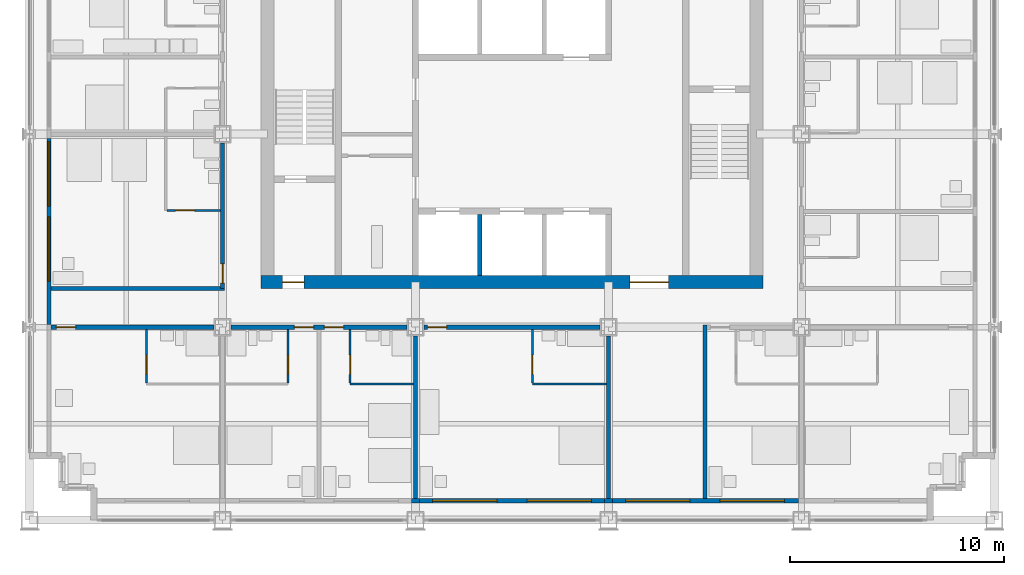
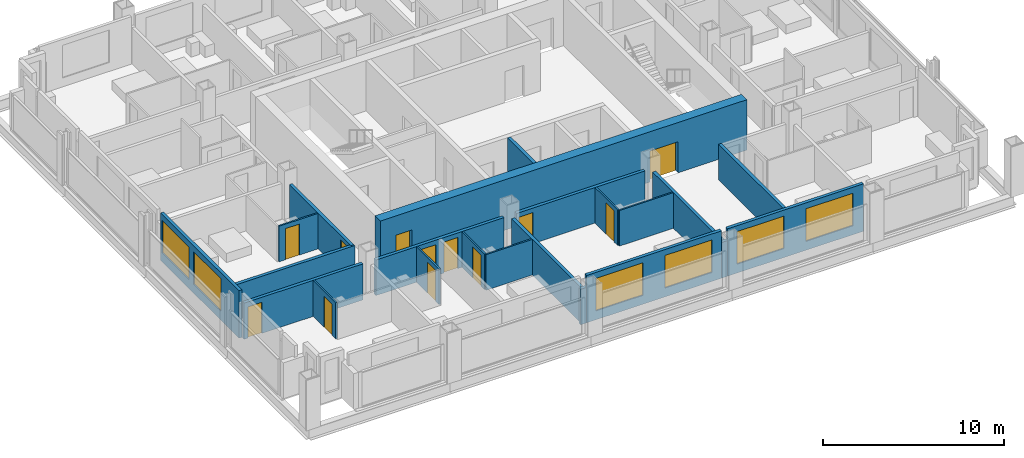
# One storey, part 9 of 17: 22 walls, 12 doors, 6 windows, 18 openings.
"""IFC4 building model written with IfcOpenShell, lengths in metres."""

from ifc_helpers import new_model, si_unit, direction, frame, frame_2d, origin, place, context, subcontext, project, spatial, rectangle, extrude, material, layer, layer_set, type_object, element, fill, save


model = new_model("IFC4")

# Units and contexts
model_context = context("Model", 3, precision=1e-05, world=origin(), true_north=direction((0.0, 1.0)))
body_context = subcontext(model_context, "Body", "Model", "MODEL_VIEW")
ifc_project = project(units=[si_unit("LENGTHUNIT", "METRE"), si_unit("AREAUNIT", "SQUARE_METRE"), si_unit("VOLUMEUNIT", "CUBIC_METRE"), si_unit("PLANEANGLEUNIT", "RADIAN"), si_unit("MASSUNIT", "GRAM", prefix="KILO")], contexts=[model_context])

# Site, building, storey
site_placement = place(None, origin())
site = spatial("IfcSite", under=ifc_project, at=site_placement, CompositionType="ELEMENT")
building_placement = place(site_placement, origin())
building = spatial("IfcBuilding", under=site, at=building_placement, Name="Loomwork Tower", CompositionType="ELEMENT")
storey_placement = place(building_placement, frame((0.0, 0.0, 145.199951171875)))
storey = spatial("IfcBuildingStorey", under=building, at=storey_placement, Name="L39", CompositionType="ELEMENT", Elevation=145.199951171875)

# Wall, openings, doors
ifc_material_1 = material(Name="Concrete 14000 psi (97 MPa)", Category="concrete")
ifc_layer_1 = layer(ifc_material_1, 0.60009765625)
ifc_layer_set_1 = layer_set([ifc_layer_1], Name="Core shear wall 600")
wall_type_1 = type_object("IfcWallType", Name="Core shear wall 600", PredefinedType="SHEAR", material=ifc_layer_set_1)
wall_1_placement = place(storey_placement, frame((10.800048828125, 11.10009765625, 0.0), z_axis=(0.0, 0.0, 1.0), x_axis=(1.0, 0.0, 0.0)))
wall_1 = element("IfcWall", 1, at=wall_1_placement, inside=storey, type_object=wall_type_1, Name="Core wall south L39", PredefinedType="SHEAR", context=body_context, shape_type="SweptSolid", body=[
    extrude(rectangle(XDim=23.39990234375, YDim=0.60009765625, at=frame_2d((11.699951171875, 0.0))), origin(), (0.0, 0.0, 1.0), 3.400146484375),
])
opening_1_placement = place(wall_1_placement, frame((1.0, 0.0, 0.0)))
opening_1 = element("IfcOpeningElement", 2, at=opening_1_placement, cuts=wall_1, Name="Opening D4", PredefinedType="OPENING", context=body_context, shape_type="SweptSolid", body=[
    extrude(rectangle(XDim=1.0, YDim=2.10009765625, at=frame_2d((0.5, 1.050048828125))), frame((0.0, 0.31005859375, 0.0), z_axis=(0.0, -1.0, 0.0), x_axis=(1.0, 0.0, 0.0)), (0.0, 0.0, 1.0), 0.6201171875),
])
opening_2_placement = place(wall_1_placement, frame((17.199951171875, 0.0, 0.0)))
opening_2 = element("IfcOpeningElement", 3, at=opening_2_placement, cuts=wall_1, Name="Opening D6", PredefinedType="OPENING", context=body_context, shape_type="SweptSolid", body=[
    extrude(rectangle(XDim=1.800048828125, YDim=2.10009765625, at=frame_2d((0.89990234375, 1.050048828125))), frame((0.0, 0.31005859375, 0.0), z_axis=(0.0, -1.0, 0.0), x_axis=(1.0, 0.0, 0.0)), (0.0, 0.0, 1.0), 0.6201171875),
])
ifc_material_2 = material(Name="Hollow metal door and frame")
door_type_1 = type_object("IfcDoorType", Name="Lobby passage double door 1800", OperationType="DOUBLE_DOOR_SINGLE_SWING", PredefinedType="DOOR", material=ifc_material_2)
door_1_placement = place(opening_2_placement, origin())
door_1 = element("IfcDoor", 4, at=door_1_placement, inside=storey, type_object=door_type_1, Name="Lobby passage door south", OperationType="DOUBLE_DOOR_SINGLE_SWING", OverallHeight=2.10009765625, OverallWidth=1.800048828125, PredefinedType="DOOR", context=body_context, shape_type="SweptSolid", body=[
    extrude(rectangle(XDim=1.800048828125, YDim=2.10009765625, at=frame_2d((0.89990234375, 1.050048828125))), frame((0.0, 0.02490234375, 0.0), z_axis=(0.0, -1.0, 0.0), x_axis=(1.0, 0.0, 0.0)), (0.0, 0.0, 1.0), 0.050048828125),
])
fill(opening_2, door_1)
ifc_material_3 = material(Name="Hollow metal door and frame")
door_type_2 = type_object("IfcDoorType", Name="Stair door 1000", OperationType="SINGLE_SWING_RIGHT", PredefinedType="DOOR", material=ifc_material_3)
door_2_placement = place(opening_1_placement, origin())
door_2 = element("IfcDoor", 5, at=door_2_placement, inside=storey, type_object=door_type_2, Name="Stair A vestibule door", OperationType="SINGLE_SWING_LEFT", OverallHeight=2.10009765625, OverallWidth=1.0, PredefinedType="DOOR", context=body_context, shape_type="SweptSolid", body=[
    extrude(rectangle(XDim=1.0, YDim=2.10009765625, at=frame_2d((0.5, 1.050048828125))), frame((0.0, 0.02490234375, 0.0), z_axis=(0.0, -1.0, 0.0), x_axis=(1.0, 0.0, 0.0)), (0.0, 0.0, 1.0), 0.050048828125),
])
fill(opening_1, door_2)

# Wall, opening, door
ifc_material_4 = material(Name="Gypsum board on steel studs, one-hour", Category="steel")
ifc_layer_2 = layer(ifc_material_4, 0.199951171875)
ifc_layer_set_2 = layer_set([ifc_layer_2], Name="Corridor wall 200")
wall_type_2 = type_object("IfcWallType", Name="Corridor wall 200", PredefinedType="PARTITIONING", material=ifc_layer_set_2)
wall_2_placement = place(storey_placement, frame((1.0, 9.0, 0.0), z_axis=(0.0, 0.0, 1.0), x_axis=(1.0, 0.0, 0.0)))
wall_2 = element("IfcWall", 6, at=wall_2_placement, inside=storey, type_object=wall_type_2, Name="South corridor wall 1", PredefinedType="PARTITIONING", context=body_context, shape_type="SweptSolid", body=[
    extrude(rectangle(XDim=7.60009765625, YDim=0.199951171875, at=frame_2d((3.800048828125, 0.0))), origin(), (0.0, 0.0, 1.0), 2.43798828125),
])
opening_3_placement = place(wall_2_placement, frame((0.25, 0.0, 0.0)))
opening_3 = element("IfcOpeningElement", 7, at=opening_3_placement, cuts=wall_2, Name="Opening D1", PredefinedType="OPENING", context=body_context, shape_type="SweptSolid", body=[
    extrude(rectangle(XDim=0.89990234375, YDim=2.10009765625, at=frame_2d((0.449951171875, 1.050048828125))), frame((0.0, 0.10986328125, 0.0), z_axis=(0.0, -1.0, 0.0), x_axis=(1.0, 0.0, 0.0)), (0.0, 0.0, 1.0), 0.219970703125),
])
ifc_material_5 = material(Name="Hollow metal door and frame")
door_type_3 = type_object("IfcDoorType", Name="Guest room entry door 900", OperationType="SINGLE_SWING_LEFT", PredefinedType="DOOR", material=ifc_material_5)
door_3_placement = place(opening_3_placement, frame((0.89990234375, 0.0, 0.0), z_axis=(0.0, 0.0, 1.0), x_axis=(-1.0, 0.0, 0.0)))
door_3 = element("IfcDoor", 8, at=door_3_placement, inside=storey, type_object=door_type_3, Name="Guest room entry door L39 1", OperationType="SINGLE_SWING_RIGHT", OverallHeight=2.10009765625, OverallWidth=0.89990234375, PredefinedType="DOOR", context=body_context, shape_type="SweptSolid", body=[
    extrude(rectangle(XDim=0.89990234375, YDim=2.10009765625, at=frame_2d((0.449951171875, 1.050048828125))), frame((0.0, 0.02490234375, 0.0), z_axis=(0.0, -1.0, 0.0), x_axis=(1.0, 0.0, 0.0)), (0.0, 0.0, 1.0), 0.050048828125),
])
fill(opening_3, door_3)

# Wall, openings, doors
wall_3_placement = place(storey_placement, frame((9.39990234375, 9.0, 0.0), z_axis=(0.0, 0.0, 1.0), x_axis=(1.0, 0.0, 0.0)))
wall_3 = element("IfcWall", 9, at=wall_3_placement, inside=storey, type_object=wall_type_2, Name="South corridor wall 2", PredefinedType="PARTITIONING", context=body_context, shape_type="SweptSolid", body=[
    extrude(rectangle(XDim=8.2001953125, YDim=0.199951171875, at=frame_2d((4.10009765625, 0.0))), origin(), (0.0, 0.0, 1.0), 2.405029296875),
])
opening_4_placement = place(wall_3_placement, frame((2.949951171875, 0.0, 0.0)))
opening_4 = element("IfcOpeningElement", 10, at=opening_4_placement, cuts=wall_3, Name="Opening D1", PredefinedType="OPENING", context=body_context, shape_type="SweptSolid", body=[
    extrude(rectangle(XDim=0.89990234375, YDim=2.10009765625, at=frame_2d((0.449951171875, 1.050048828125))), frame((0.0, 0.10986328125, 0.0), z_axis=(0.0, -1.0, 0.0), x_axis=(1.0, 0.0, 0.0)), (0.0, 0.0, 1.0), 0.219970703125),
])
opening_5_placement = place(wall_3_placement, frame((4.35009765625, 0.0, 0.0)))
opening_5 = element("IfcOpeningElement", 11, at=opening_5_placement, cuts=wall_3, Name="Opening D1", PredefinedType="OPENING", context=body_context, shape_type="SweptSolid", body=[
    extrude(rectangle(XDim=0.89990234375, YDim=2.10009765625, at=frame_2d((0.449951171875, 1.050048828125))), frame((0.0, 0.10986328125, 0.0), z_axis=(0.0, -1.0, 0.0), x_axis=(1.0, 0.0, 0.0)), (0.0, 0.0, 1.0), 0.219970703125),
])
door_4_placement = place(opening_4_placement, frame((0.89990234375, 0.0, 0.0), z_axis=(0.0, 0.0, 1.0), x_axis=(-1.0, 0.0, 0.0)))
door_4 = element("IfcDoor", 12, at=door_4_placement, inside=storey, type_object=door_type_3, Name="Guest room entry door L39 2", OperationType="SINGLE_SWING_LEFT", OverallHeight=2.10009765625, OverallWidth=0.89990234375, PredefinedType="DOOR", context=body_context, shape_type="SweptSolid", body=[
    extrude(rectangle(XDim=0.89990234375, YDim=2.10009765625, at=frame_2d((0.449951171875, 1.050048828125))), frame((0.0, 0.02490234375, 0.0), z_axis=(0.0, -1.0, 0.0), x_axis=(1.0, 0.0, 0.0)), (0.0, 0.0, 1.0), 0.050048828125),
])
fill(opening_4, door_4)
door_5_placement = place(opening_5_placement, frame((0.89990234375, 0.0, 0.0), z_axis=(0.0, 0.0, 1.0), x_axis=(-1.0, 0.0, 0.0)))
door_5 = element("IfcDoor", 13, at=door_5_placement, inside=storey, type_object=door_type_3, Name="Guest room entry door L39 3", OperationType="SINGLE_SWING_RIGHT", OverallHeight=2.10009765625, OverallWidth=0.89990234375, PredefinedType="DOOR", context=body_context, shape_type="SweptSolid", body=[
    extrude(rectangle(XDim=0.89990234375, YDim=2.10009765625, at=frame_2d((0.449951171875, 1.050048828125))), frame((0.0, 0.02490234375, 0.0), z_axis=(0.0, -1.0, 0.0), x_axis=(1.0, 0.0, 0.0)), (0.0, 0.0, 1.0), 0.050048828125),
])
fill(opening_5, door_5)

# Wall, opening, door
wall_4_placement = place(storey_placement, frame((18.39990234375, 9.0, 0.0), z_axis=(0.0, 0.0, 1.0), x_axis=(1.0, 0.0, 0.0)))
wall_4 = element("IfcWall", 14, at=wall_4_placement, inside=storey, type_object=wall_type_2, Name="South corridor wall 3", PredefinedType="PARTITIONING", context=body_context, shape_type="SweptSolid", body=[
    extrude(rectangle(XDim=8.2001953125, YDim=0.199951171875, at=frame_2d((4.10009765625, 0.0))), origin(), (0.0, 0.0, 1.0), 2.405029296875),
])
opening_6_placement = place(wall_4_placement, frame((0.14990234375, 0.0, 0.0)))
opening_6 = element("IfcOpeningElement", 15, at=opening_6_placement, cuts=wall_4, Name="Opening D1", PredefinedType="OPENING", context=body_context, shape_type="SweptSolid", body=[
    extrude(rectangle(XDim=0.89990234375, YDim=2.10009765625, at=frame_2d((0.449951171875, 1.050048828125))), frame((0.0, 0.10986328125, 0.0), z_axis=(0.0, -1.0, 0.0), x_axis=(1.0, 0.0, 0.0)), (0.0, 0.0, 1.0), 0.219970703125),
])
door_6_placement = place(opening_6_placement, frame((0.89990234375, 0.0, 0.0), z_axis=(0.0, 0.0, 1.0), x_axis=(-1.0, 0.0, 0.0)))
door_6 = element("IfcDoor", 16, at=door_6_placement, inside=storey, type_object=door_type_3, Name="Guest room entry door L39 4", OperationType="SINGLE_SWING_RIGHT", OverallHeight=2.10009765625, OverallWidth=0.89990234375, PredefinedType="DOOR", context=body_context, shape_type="SweptSolid", body=[
    extrude(rectangle(XDim=0.89990234375, YDim=2.10009765625, at=frame_2d((0.449951171875, 1.050048828125))), frame((0.0, 0.02490234375, 0.0), z_axis=(0.0, -1.0, 0.0), x_axis=(1.0, 0.0, 0.0)), (0.0, 0.0, 1.0), 0.050048828125),
])
fill(opening_6, door_6)

wall_5_placement = place(storey_placement, frame((9.0, 10.800048828125, 0.0), z_axis=(0.0, 0.0, 1.0), x_axis=(0.0, 1.0, 0.0)))
wall_5 = element("IfcWall", 17, at=wall_5_placement, inside=storey, type_object=wall_type_2, Name="West corridor wall 1", PredefinedType="PARTITIONING", context=body_context, shape_type="SweptSolid", body=[
    extrude(rectangle(XDim=6.800048828125, YDim=0.199951171875, at=frame_2d((3.39990234375, 0.0))), origin(), (0.0, 0.0, 1.0), 2.405029296875),
])
opening_7_placement = place(wall_5_placement, frame((0.25, 0.0, 0.0)))
opening_7 = element("IfcOpeningElement", 18, at=opening_7_placement, cuts=wall_5, Name="Opening D1", PredefinedType="OPENING", context=body_context, shape_type="SweptSolid", body=[
    extrude(rectangle(XDim=0.89990234375, YDim=2.10009765625, at=frame_2d((0.449951171875, 1.050048828125))), frame((0.0, 0.10986328125, 0.0), z_axis=(0.0, -1.0, 0.0), x_axis=(1.0, 0.0, 0.0)), (0.0, 0.0, 1.0), 0.219970703125),
])
door_7_placement = place(opening_7_placement, origin())
door_7 = element("IfcDoor", 19, at=door_7_placement, inside=storey, type_object=door_type_3, Name="Guest room entry door L39 14", OperationType="SINGLE_SWING_LEFT", OverallHeight=2.10009765625, OverallWidth=0.89990234375, PredefinedType="DOOR", context=body_context, shape_type="SweptSolid", body=[
    extrude(rectangle(XDim=0.89990234375, YDim=2.10009765625, at=frame_2d((0.449951171875, 1.050048828125))), frame((0.0, 0.02490234375, 0.0), z_axis=(0.0, -1.0, 0.0), x_axis=(1.0, 0.0, 0.0)), (0.0, 0.0, 1.0), 0.050048828125),
])
fill(opening_7, door_7)

# Wall
wall_6_placement = place(storey_placement, frame((1.0, 10.800048828125, 0.0), z_axis=(0.0, 0.0, 1.0), x_axis=(1.0, 0.0, 0.0)))
element("IfcWall", 20, at=wall_6_placement, inside=storey, type_object=wall_type_2, Name="West band end wall S", PredefinedType="PARTITIONING", context=body_context, shape_type="SweptSolid", body=[
    extrude(rectangle(XDim=8.10009765625, YDim=0.199951171875, at=frame_2d((4.050048828125, 0.0))), origin(), (0.0, 0.0, 1.0), 2.404052734375),
])

# Wall, opening, door
ifc_material_6 = material(Name="Cement board on steel studs", Category="steel")
ifc_layer_3 = layer(ifc_material_6, 0.10009765625)
ifc_layer_set_3 = layer_set([ifc_layer_3], Name="En-suite partition 100")
wall_type_3 = type_object("IfcWallType", Name="En-suite partition 100", PredefinedType="PARTITIONING", material=ifc_layer_set_3)
wall_7_placement = place(storey_placement, frame((5.449951171875, 8.89990234375, 0.0), z_axis=(0.0, 0.0, 1.0), x_axis=(0.0, -1.0, 0.0)))
wall_7 = element("IfcWall", 21, at=wall_7_placement, inside=storey, type_object=wall_type_3, Name="En-suite side wall L39 room 1", PredefinedType="PARTITIONING", context=body_context, shape_type="SweptSolid", body=[
    extrude(rectangle(XDim=2.5, YDim=0.10009765625, at=frame_2d((1.25, 0.0))), origin(), (0.0, 0.0, 1.0), 2.43798828125),
])
opening_8_placement = place(wall_7_placement, frame((1.199951171875, 0.0, 0.0)))
opening_8 = element("IfcOpeningElement", 22, at=opening_8_placement, cuts=wall_7, Name="Opening D3", PredefinedType="OPENING", context=body_context, shape_type="SweptSolid", body=[
    extrude(rectangle(XDim=0.89990234375, YDim=2.10009765625, at=frame_2d((0.449951171875, 1.050048828125))), frame((0.0, 0.06005859375, 0.0), z_axis=(0.0, -1.0, 0.0), x_axis=(1.0, 0.0, 0.0)), (0.0, 0.0, 1.0), 0.1201171875),
])
ifc_material_7 = material(Name="Hollow metal door and frame")
door_type_4 = type_object("IfcDoorType", Name="Accessible en-suite door 900", OperationType="SLIDING_TO_LEFT", PredefinedType="DOOR", material=ifc_material_7)
door_8_placement = place(opening_8_placement, origin())
door_8 = element("IfcDoor", 23, at=door_8_placement, inside=storey, type_object=door_type_4, Name="Accessible en-suite door room 1", OperationType="SLIDING_TO_LEFT", OverallHeight=2.10009765625, OverallWidth=0.89990234375, PredefinedType="DOOR", context=body_context, shape_type="SweptSolid", body=[
    extrude(rectangle(XDim=0.89990234375, YDim=2.10009765625, at=frame_2d((0.449951171875, 1.050048828125))), frame((0.0, 0.02490234375, 0.0), z_axis=(0.0, -1.0, 0.0), x_axis=(1.0, 0.0, 0.0)), (0.0, 0.0, 1.0), 0.050048828125),
])
fill(opening_8, door_8)

wall_8_placement = place(storey_placement, frame((12.050048828125, 8.89990234375, 0.0), z_axis=(0.0, 0.0, 1.0), x_axis=(0.0, -1.0, 0.0)))
wall_8 = element("IfcWall", 24, at=wall_8_placement, inside=storey, type_object=wall_type_3, Name="En-suite side wall L39 room 2", PredefinedType="PARTITIONING", context=body_context, shape_type="SweptSolid", body=[
    extrude(rectangle(XDim=2.5, YDim=0.10009765625, at=frame_2d((1.25, 0.0))), origin(), (0.0, 0.0, 1.0), 2.404052734375),
])
opening_9_placement = place(wall_8_placement, frame((1.199951171875, 0.0, 0.0)))
opening_9 = element("IfcOpeningElement", 25, at=opening_9_placement, cuts=wall_8, Name="Opening D2", PredefinedType="OPENING", context=body_context, shape_type="SweptSolid", body=[
    extrude(rectangle(XDim=0.89990234375, YDim=2.10009765625, at=frame_2d((0.449951171875, 1.050048828125))), frame((0.0, 0.06005859375, 0.0), z_axis=(0.0, -1.0, 0.0), x_axis=(1.0, 0.0, 0.0)), (0.0, 0.0, 1.0), 0.1201171875),
])
ifc_material_8 = material(Name="Hollow metal door and frame")
door_type_5 = type_object("IfcDoorType", Name="En-suite door 900", OperationType="SINGLE_SWING_LEFT", PredefinedType="DOOR", material=ifc_material_8)
door_9_placement = place(opening_9_placement, frame((0.89990234375, 0.0, 0.0), z_axis=(0.0, 0.0, 1.0), x_axis=(-1.0, 0.0, 0.0)))
door_9 = element("IfcDoor", 26, at=door_9_placement, inside=storey, type_object=door_type_5, Name="En-suite door room 2", OperationType="SINGLE_SWING_LEFT", OverallHeight=2.10009765625, OverallWidth=0.89990234375, PredefinedType="DOOR", context=body_context, shape_type="SweptSolid", body=[
    extrude(rectangle(XDim=0.89990234375, YDim=2.10009765625, at=frame_2d((0.449951171875, 1.050048828125))), frame((0.0, 0.02490234375, 0.0), z_axis=(0.0, -1.0, 0.0), x_axis=(1.0, 0.0, 0.0)), (0.0, 0.0, 1.0), 0.050048828125),
])
fill(opening_9, door_9)

# Wall
wall_9_placement = place(storey_placement, frame((14.949951171875, 6.35009765625, 0.0), z_axis=(0.0, 0.0, 1.0), x_axis=(1.0, 0.0, 0.0)))
element("IfcWall", 27, at=wall_9_placement, inside=storey, type_object=wall_type_3, Name="En-suite wall L39 room 3", PredefinedType="PARTITIONING", context=body_context, shape_type="SweptSolid", body=[
    extrude(rectangle(XDim=2.949951171875, YDim=0.10009765625, at=frame_2d((1.47509765625, 0.0))), origin(), (0.0, 0.0, 1.0), 2.404052734375),
])

# Wall, opening, door
wall_10_placement = place(storey_placement, frame((14.949951171875, 8.89990234375, 0.0), z_axis=(0.0, 0.0, 1.0), x_axis=(0.0, -1.0, 0.0)))
wall_10 = element("IfcWall", 28, at=wall_10_placement, inside=storey, type_object=wall_type_3, Name="En-suite side wall L39 room 3", PredefinedType="PARTITIONING", context=body_context, shape_type="SweptSolid", body=[
    extrude(rectangle(XDim=2.5, YDim=0.10009765625, at=frame_2d((1.25, 0.0))), origin(), (0.0, 0.0, 1.0), 2.404052734375),
])
opening_10_placement = place(wall_10_placement, frame((1.199951171875, 0.0, 0.0)))
opening_10 = element("IfcOpeningElement", 29, at=opening_10_placement, cuts=wall_10, Name="Opening D2", PredefinedType="OPENING", context=body_context, shape_type="SweptSolid", body=[
    extrude(rectangle(XDim=0.89990234375, YDim=2.10009765625, at=frame_2d((0.449951171875, 1.050048828125))), frame((0.0, 0.06005859375, 0.0), z_axis=(0.0, -1.0, 0.0), x_axis=(1.0, 0.0, 0.0)), (0.0, 0.0, 1.0), 0.1201171875),
])
door_10_placement = place(opening_10_placement, origin())
door_10 = element("IfcDoor", 30, at=door_10_placement, inside=storey, type_object=door_type_5, Name="En-suite door room 3", OperationType="SINGLE_SWING_RIGHT", OverallHeight=2.10009765625, OverallWidth=0.89990234375, PredefinedType="DOOR", context=body_context, shape_type="SweptSolid", body=[
    extrude(rectangle(XDim=0.89990234375, YDim=2.10009765625, at=frame_2d((0.449951171875, 1.050048828125))), frame((0.0, 0.02490234375, 0.0), z_axis=(0.0, -1.0, 0.0), x_axis=(1.0, 0.0, 0.0)), (0.0, 0.0, 1.0), 0.050048828125),
])
fill(opening_10, door_10)

# Wall
wall_11_placement = place(storey_placement, frame((23.449951171875, 6.35009765625, 0.0), z_axis=(0.0, 0.0, 1.0), x_axis=(1.0, 0.0, 0.0)))
element("IfcWall", 31, at=wall_11_placement, inside=storey, type_object=wall_type_3, Name="En-suite wall L39 room 4", PredefinedType="PARTITIONING", context=body_context, shape_type="SweptSolid", body=[
    extrude(rectangle(XDim=3.449951171875, YDim=0.10009765625, at=frame_2d((1.72509765625, 0.0))), origin(), (0.0, 0.0, 1.0), 2.404052734375),
])

# Wall, opening, door
wall_12_placement = place(storey_placement, frame((23.449951171875, 8.89990234375, 0.0), z_axis=(0.0, 0.0, 1.0), x_axis=(0.0, -1.0, 0.0)))
wall_12 = element("IfcWall", 32, at=wall_12_placement, inside=storey, type_object=wall_type_3, Name="En-suite side wall L39 room 4", PredefinedType="PARTITIONING", context=body_context, shape_type="SweptSolid", body=[
    extrude(rectangle(XDim=2.5, YDim=0.10009765625, at=frame_2d((1.25, 0.0))), origin(), (0.0, 0.0, 1.0), 2.404052734375),
])
opening_11_placement = place(wall_12_placement, frame((1.199951171875, 0.0, 0.0)))
opening_11 = element("IfcOpeningElement", 33, at=opening_11_placement, cuts=wall_12, Name="Opening D2", PredefinedType="OPENING", context=body_context, shape_type="SweptSolid", body=[
    extrude(rectangle(XDim=0.89990234375, YDim=2.10009765625, at=frame_2d((0.449951171875, 1.050048828125))), frame((0.0, 0.06005859375, 0.0), z_axis=(0.0, -1.0, 0.0), x_axis=(1.0, 0.0, 0.0)), (0.0, 0.0, 1.0), 0.1201171875),
])
door_11_placement = place(opening_11_placement, origin())
door_11 = element("IfcDoor", 34, at=door_11_placement, inside=storey, type_object=door_type_5, Name="En-suite door room 4", OperationType="SINGLE_SWING_RIGHT", OverallHeight=2.10009765625, OverallWidth=0.89990234375, PredefinedType="DOOR", context=body_context, shape_type="SweptSolid", body=[
    extrude(rectangle(XDim=0.89990234375, YDim=2.10009765625, at=frame_2d((0.449951171875, 1.050048828125))), frame((0.0, 0.02490234375, 0.0), z_axis=(0.0, -1.0, 0.0), x_axis=(1.0, 0.0, 0.0)), (0.0, 0.0, 1.0), 0.050048828125),
])
fill(opening_11, door_11)

wall_13_placement = place(storey_placement, frame((8.89990234375, 14.449951171875, 0.0), z_axis=(0.0, 0.0, 1.0), x_axis=(-1.0, 0.0, 0.0)))
wall_13 = element("IfcWall", 35, at=wall_13_placement, inside=storey, type_object=wall_type_3, Name="En-suite side wall L39 room 14", PredefinedType="PARTITIONING", context=body_context, shape_type="SweptSolid", body=[
    extrude(rectangle(XDim=2.5, YDim=0.10009765625, at=frame_2d((1.25, 0.0))), origin(), (0.0, 0.0, 1.0), 2.404052734375),
])
opening_12_placement = place(wall_13_placement, frame((1.199951171875, 0.0, 0.0)))
opening_12 = element("IfcOpeningElement", 36, at=opening_12_placement, cuts=wall_13, Name="Opening D2", PredefinedType="OPENING", context=body_context, shape_type="SweptSolid", body=[
    extrude(rectangle(XDim=0.89990234375, YDim=2.10009765625, at=frame_2d((0.449951171875, 1.050048828125))), frame((0.0, 0.06005859375, 0.0), z_axis=(0.0, -1.0, 0.0), x_axis=(1.0, 0.0, 0.0)), (0.0, 0.0, 1.0), 0.1201171875),
])
door_12_placement = place(opening_12_placement, frame((0.89990234375, 0.0, 0.0), z_axis=(0.0, 0.0, 1.0), x_axis=(-1.0, 0.0, 0.0)))
door_12 = element("IfcDoor", 37, at=door_12_placement, inside=storey, type_object=door_type_5, Name="En-suite door room 14", OperationType="SINGLE_SWING_LEFT", OverallHeight=2.10009765625, OverallWidth=0.89990234375, PredefinedType="DOOR", context=body_context, shape_type="SweptSolid", body=[
    extrude(rectangle(XDim=0.89990234375, YDim=2.10009765625, at=frame_2d((0.449951171875, 1.050048828125))), frame((0.0, 0.02490234375, 0.0), z_axis=(0.0, -1.0, 0.0), x_axis=(1.0, 0.0, 0.0)), (0.0, 0.0, 1.0), 0.050048828125),
])
fill(opening_12, door_12)

# Walls
ifc_material_9 = material(Name="Gypsum board on steel studs, acoustic", Category="steel")
ifc_layer_4 = layer(ifc_material_9, 0.199951171875)
ifc_layer_set_4 = layer_set([ifc_layer_4], Name="Guest room party wall 200")
wall_type_4 = type_object("IfcWallType", Name="Guest room party wall 200", PredefinedType="PARTITIONING", material=ifc_layer_set_4)
for number, where, z_axis, x_axis, name in (
    (38, (18.0, 8.60009765625, 0.0), (0.0, 0.0, 1.0), (0.0, -1.0, 0.0), "Guest room party wall S 18"),
    (39, (27.0, 8.60009765625, 0.0), (0.0, 0.0, 1.0), (0.0, -1.0, 0.0), "Guest room party wall S 27"),
):
    element("IfcWall", number, at=place(storey_placement, frame(where, z_axis=z_axis, x_axis=x_axis)), inside=storey, type_object=wall_type_4, Name=name, PredefinedType="PARTITIONING", context=body_context, shape_type="SweptSolid", body=[
        extrude(rectangle(XDim=7.60009765625, YDim=0.199951171875, at=frame_2d((3.800048828125, 0.0))), origin(), (0.0, 0.0, 1.0), 2.405029296875),
    ])
wall_14_placement = place(storey_placement, frame((31.5, 9.10009765625, 0.0), z_axis=(0.0, 0.0, 1.0), x_axis=(0.0, -1.0, 0.0)))
element("IfcWall", 40, at=wall_14_placement, inside=storey, type_object=wall_type_4, Name="Guest room party wall S 31.5", PredefinedType="PARTITIONING", context=body_context, shape_type="SweptSolid", body=[
    extrude(rectangle(XDim=8.10009765625, YDim=0.199951171875, at=frame_2d((4.050048828125, 0.0))), origin(), (0.0, 0.0, 1.0), 2.404052734375),
])
ifc_material_10 = material(Name="Insulated steel stud wall with gypsum lining", Category="steel")
ifc_layer_5 = layer(ifc_material_10, 0.199951171875)
ifc_layer_set_5 = layer_set([ifc_layer_5], Name="Inner skin wall 200")
wall_type_5 = type_object("IfcWallType", Name="Inner skin wall 200", PredefinedType="SOLIDWALL", material=ifc_layer_set_5)
wall_15_placement = place(storey_placement, frame((17.80615234375, 0.89990234375, 0.0), z_axis=(0.0, 0.0, 1.0), x_axis=(1.0, 0.0, 0.0)))
element("IfcWall", 41, at=wall_15_placement, inside=storey, type_object=wall_type_5, Name="Inner skin wall S bay 4", PredefinedType="SOLIDWALL", context=body_context, shape_type="SweptSolid", body=[
    extrude(rectangle(XDim=0.3876953125, YDim=0.199951171875, at=frame_2d((0.19384765625, 0.0))), origin(), (0.0, 0.0, 1.0), 2.404052734375),
])

# Wall, openings, windows
wall_16_placement = place(storey_placement, frame((18.19384765625, 0.89990234375, 0.0), z_axis=(0.0, 0.0, 1.0), x_axis=(1.0, 0.0, 0.0)))
wall_16 = element("IfcWall", 42, at=wall_16_placement, inside=storey, type_object=wall_type_5, Name="Inner skin wall S bay 5", PredefinedType="SOLIDWALL", context=body_context, shape_type="SweptSolid", body=[
    extrude(rectangle(XDim=8.6123046875, YDim=0.199951171875, at=frame_2d((4.30615234375, 0.0))), origin(), (0.0, 0.0, 1.0), 3.199951171875),
])
opening_13_placement = place(wall_16_placement, frame((0.606201171875, 0.0, 0.60009765625)))
opening_13 = element("IfcOpeningElement", 43, at=opening_13_placement, cuts=wall_16, Name="Opening CH1", PredefinedType="OPENING", context=body_context, shape_type="SweptSolid", body=[
    extrude(rectangle(XDim=3.0, YDim=2.199951171875, at=frame_2d((1.5, 1.10009765625))), frame((0.0, 0.10986328125, 0.0), z_axis=(0.0, -1.0, 0.0), x_axis=(1.0, 0.0, 0.0)), (0.0, 0.0, 1.0), 0.219970703125),
])
opening_14_placement = place(wall_16_placement, frame((5.006103515625, 0.0, 0.60009765625)))
opening_14 = element("IfcOpeningElement", 44, at=opening_14_placement, cuts=wall_16, Name="Opening CH1", PredefinedType="OPENING", context=body_context, shape_type="SweptSolid", body=[
    extrude(rectangle(XDim=3.0, YDim=2.199951171875, at=frame_2d((1.5, 1.10009765625))), frame((0.0, 0.10986328125, 0.0), z_axis=(0.0, -1.0, 0.0), x_axis=(1.0, 0.0, 0.0)), (0.0, 0.0, 1.0), 0.219970703125),
])
ifc_material_11 = material(Name="Aluminium frame with clear insulated glass", Category="aluminium")
window_type = type_object("IfcWindowType", Name="Chicago window 3000", PartitioningType="TRIPLE_PANEL_VERTICAL", PredefinedType="WINDOW", material=ifc_material_11)
window_1_placement = place(opening_13_placement, origin())
window_1 = element("IfcWindow", 45, at=window_1_placement, inside=storey, type_object=window_type, Name="Chicago window L39 bay 3", OverallHeight=2.199951171875, OverallWidth=3.0, PartitioningType="TRIPLE_PANEL_VERTICAL", PredefinedType="WINDOW", context=body_context, shape_type="SweptSolid", body=[
    extrude(rectangle(XDim=3.0, YDim=2.199951171875, at=frame_2d((1.5, 1.10009765625))), frame((0.0, 0.030029296875, 0.0), z_axis=(0.0, -1.0, 0.0), x_axis=(1.0, 0.0, 0.0)), (0.0, 0.0, 1.0), 0.06005859375),
])
fill(opening_13, window_1)
window_2_placement = place(opening_14_placement, origin())
window_2 = element("IfcWindow", 46, at=window_2_placement, inside=storey, type_object=window_type, Name="Chicago window L39 bay 3", OverallHeight=2.199951171875, OverallWidth=3.0, PartitioningType="TRIPLE_PANEL_VERTICAL", PredefinedType="WINDOW", context=body_context, shape_type="SweptSolid", body=[
    extrude(rectangle(XDim=3.0, YDim=2.199951171875, at=frame_2d((1.5, 1.10009765625))), frame((0.0, 0.030029296875, 0.0), z_axis=(0.0, -1.0, 0.0), x_axis=(1.0, 0.0, 0.0)), (0.0, 0.0, 1.0), 0.06005859375),
])
fill(opening_14, window_2)

# Wall
wall_17_placement = place(storey_placement, frame((26.80615234375, 0.89990234375, 0.0), z_axis=(0.0, 0.0, 1.0), x_axis=(1.0, 0.0, 0.0)))
element("IfcWall", 47, at=wall_17_placement, inside=storey, type_object=wall_type_5, Name="Inner skin wall S bay 6", PredefinedType="SOLIDWALL", context=body_context, shape_type="SweptSolid", body=[
    extrude(rectangle(XDim=0.3876953125, YDim=0.199951171875, at=frame_2d((0.19384765625, 0.0))), origin(), (0.0, 0.0, 1.0), 2.404052734375),
])

# Wall, openings, windows
wall_18_placement = place(storey_placement, frame((27.19384765625, 0.89990234375, 0.0), z_axis=(0.0, 0.0, 1.0), x_axis=(1.0, 0.0, 0.0)))
wall_18 = element("IfcWall", 48, at=wall_18_placement, inside=storey, type_object=wall_type_5, Name="Inner skin wall S bay 7", PredefinedType="SOLIDWALL", context=body_context, shape_type="SweptSolid", body=[
    extrude(rectangle(XDim=8.670654296875, YDim=0.199951171875, at=frame_2d((4.33544921875, 0.0))), origin(), (0.0, 0.0, 1.0), 3.199951171875),
])
opening_15_placement = place(wall_18_placement, frame((0.606201171875, 0.0, 0.60009765625)))
opening_15 = element("IfcOpeningElement", 49, at=opening_15_placement, cuts=wall_18, Name="Opening CH1", PredefinedType="OPENING", context=body_context, shape_type="SweptSolid", body=[
    extrude(rectangle(XDim=3.0, YDim=2.199951171875, at=frame_2d((1.5, 1.10009765625))), frame((0.0, 0.10986328125, 0.0), z_axis=(0.0, -1.0, 0.0), x_axis=(1.0, 0.0, 0.0)), (0.0, 0.0, 1.0), 0.219970703125),
])
opening_16_placement = place(wall_18_placement, frame((5.006103515625, 0.0, 0.60009765625)))
opening_16 = element("IfcOpeningElement", 50, at=opening_16_placement, cuts=wall_18, Name="Opening CH1", PredefinedType="OPENING", context=body_context, shape_type="SweptSolid", body=[
    extrude(rectangle(XDim=3.0, YDim=2.199951171875, at=frame_2d((1.5, 1.10009765625))), frame((0.0, 0.10986328125, 0.0), z_axis=(0.0, -1.0, 0.0), x_axis=(1.0, 0.0, 0.0)), (0.0, 0.0, 1.0), 0.219970703125),
])
window_3_placement = place(opening_15_placement, origin())
window_3 = element("IfcWindow", 51, at=window_3_placement, inside=storey, type_object=window_type, Name="Chicago window L39 bay 4", OverallHeight=2.199951171875, OverallWidth=3.0, PartitioningType="TRIPLE_PANEL_VERTICAL", PredefinedType="WINDOW", context=body_context, shape_type="SweptSolid", body=[
    extrude(rectangle(XDim=3.0, YDim=2.199951171875, at=frame_2d((1.5, 1.10009765625))), frame((0.0, 0.030029296875, 0.0), z_axis=(0.0, -1.0, 0.0), x_axis=(1.0, 0.0, 0.0)), (0.0, 0.0, 1.0), 0.06005859375),
])
fill(opening_15, window_3)
window_4_placement = place(opening_16_placement, origin())
window_4 = element("IfcWindow", 52, at=window_4_placement, inside=storey, type_object=window_type, Name="Chicago window L39 bay 4", OverallHeight=2.199951171875, OverallWidth=3.0, PartitioningType="TRIPLE_PANEL_VERTICAL", PredefinedType="WINDOW", context=body_context, shape_type="SweptSolid", body=[
    extrude(rectangle(XDim=3.0, YDim=2.199951171875, at=frame_2d((1.5, 1.10009765625))), frame((0.0, 0.030029296875, 0.0), z_axis=(0.0, -1.0, 0.0), x_axis=(1.0, 0.0, 0.0)), (0.0, 0.0, 1.0), 0.06005859375),
])
fill(opening_16, window_4)

wall_19_placement = place(storey_placement, frame((0.89990234375, 9.13525390625, 0.0), z_axis=(0.0, 0.0, 1.0), x_axis=(0.0, 1.0, 0.0)))
wall_19 = element("IfcWall", 53, at=wall_19_placement, inside=storey, type_object=wall_type_5, Name="Inner skin wall W bay 5", PredefinedType="SOLIDWALL", context=body_context, shape_type="SweptSolid", body=[
    extrude(rectangle(XDim=8.6708984375, YDim=0.199951171875, at=frame_2d((4.33544921875, 0.0))), origin(), (0.0, 0.0, 1.0), 3.199951171875),
])
opening_17_placement = place(wall_19_placement, frame((2.0146484375, 0.0, 0.60009765625)))
opening_17 = element("IfcOpeningElement", 54, at=opening_17_placement, cuts=wall_19, Name="Opening CH1", PredefinedType="OPENING", context=body_context, shape_type="SweptSolid", body=[
    extrude(rectangle(XDim=3.0, YDim=2.199951171875, at=frame_2d((1.5, 1.10009765625))), frame((0.0, 0.10986328125, 0.0), z_axis=(0.0, -1.0, 0.0), x_axis=(1.0, 0.0, 0.0)), (0.0, 0.0, 1.0), 0.219970703125),
])
opening_18_placement = place(wall_19_placement, frame((5.5146484375, 0.0, 0.60009765625)))
opening_18 = element("IfcOpeningElement", 55, at=opening_18_placement, cuts=wall_19, Name="Opening CH1", PredefinedType="OPENING", context=body_context, shape_type="SweptSolid", body=[
    extrude(rectangle(XDim=3.0, YDim=2.199951171875, at=frame_2d((1.5, 1.10009765625))), frame((0.0, 0.10986328125, 0.0), z_axis=(0.0, -1.0, 0.0), x_axis=(1.0, 0.0, 0.0)), (0.0, 0.0, 1.0), 0.219970703125),
])
window_5_placement = place(opening_17_placement, origin())
window_5 = element("IfcWindow", 56, at=window_5_placement, inside=storey, type_object=window_type, Name="Chicago window L39 bay 11", OverallHeight=2.199951171875, OverallWidth=3.0, PartitioningType="TRIPLE_PANEL_VERTICAL", PredefinedType="WINDOW", context=body_context, shape_type="SweptSolid", body=[
    extrude(rectangle(XDim=3.0, YDim=2.199951171875, at=frame_2d((1.5, 1.10009765625))), frame((0.0, 0.030029296875, 0.0), z_axis=(0.0, -1.0, 0.0), x_axis=(1.0, 0.0, 0.0)), (0.0, 0.0, 1.0), 0.06005859375),
])
fill(opening_17, window_5)
window_6_placement = place(opening_18_placement, origin())
window_6 = element("IfcWindow", 57, at=window_6_placement, inside=storey, type_object=window_type, Name="Chicago window L39 bay 11", OverallHeight=2.199951171875, OverallWidth=3.0, PartitioningType="TRIPLE_PANEL_VERTICAL", PredefinedType="WINDOW", context=body_context, shape_type="SweptSolid", body=[
    extrude(rectangle(XDim=3.0, YDim=2.199951171875, at=frame_2d((1.5, 1.10009765625))), frame((0.0, 0.030029296875, 0.0), z_axis=(0.0, -1.0, 0.0), x_axis=(1.0, 0.0, 0.0)), (0.0, 0.0, 1.0), 0.06005859375),
])
fill(opening_18, window_6)

# Wall
ifc_material_12 = material(Name="Concrete 14000 psi (97 MPa)", Category="concrete")
ifc_layer_6 = layer(ifc_material_12, 0.199951171875)
ifc_layer_set_6 = layer_set([ifc_layer_6], Name="Lift shaft wall 200")
wall_type_6 = type_object("IfcWallType", Name="Lift shaft wall 200", PredefinedType="SHEAR", material=ifc_layer_set_6)
wall_20_placement = place(storey_placement, frame((21.0, 11.39990234375, 0.0), z_axis=(0.0, 0.0, 1.0), x_axis=(0.0, 1.0, 0.0)))
element("IfcWall", 58, at=wall_20_placement, inside=storey, type_object=wall_type_6, Name="Lift shaft separation wall south 1 L39", PredefinedType="SHEAR", context=body_context, shape_type="SweptSolid", body=[
    extrude(rectangle(XDim=2.85009765625, YDim=0.199951171875, at=frame_2d((1.425048828125, 0.0))), origin(), (0.0, 0.0, 1.0), 3.400146484375),
])

save(model, "model.ifc")
